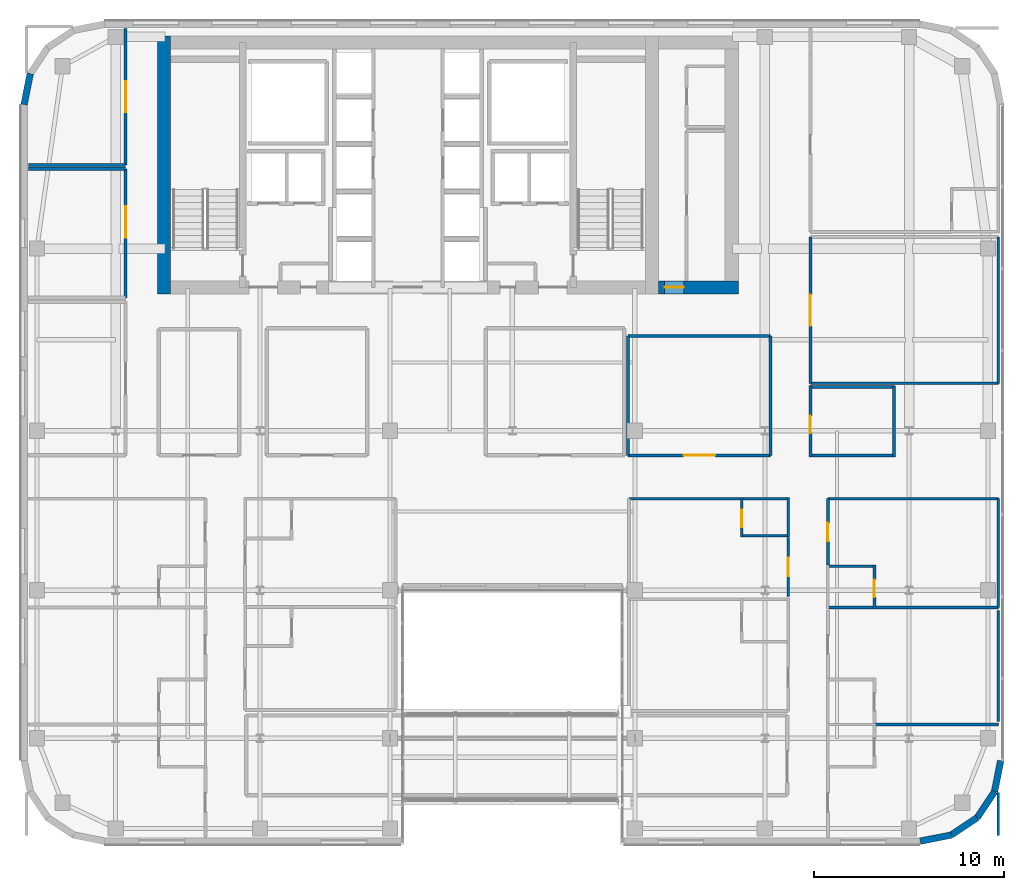
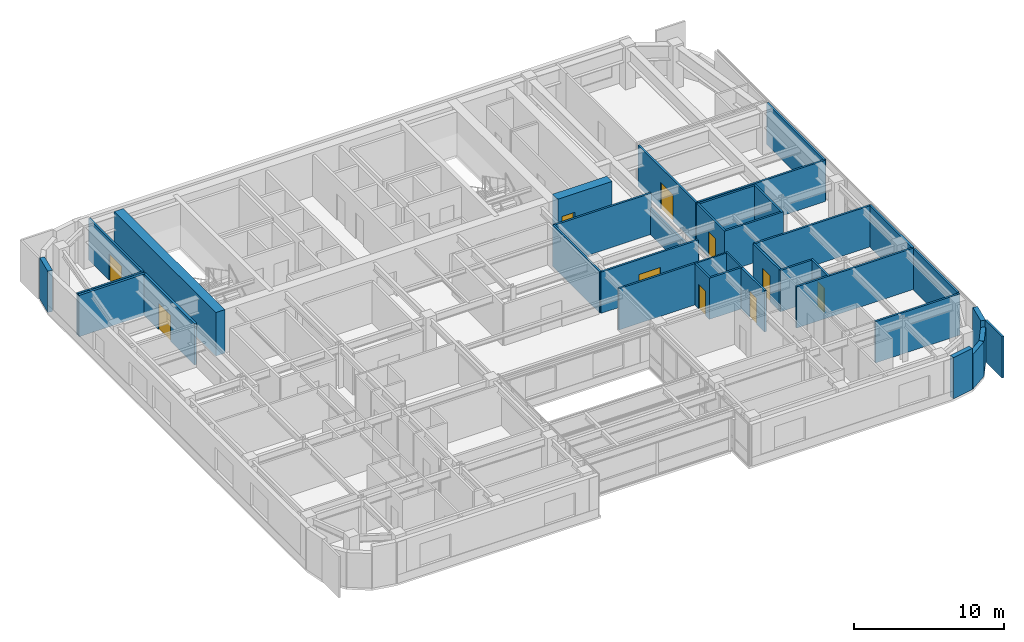
# One storey, part 18 of 26: 37 walls, 10 doors, 10 openings.
"""IFC4 building model written with IfcOpenShell, lengths in metres."""

from ifc_helpers import new_model, si_unit, direction, frame, frame_2d, origin, place, context, subcontext, project, spatial, rectangle, extrude, source, transform, mapped, material, layer, layer_set, type_object, type_shapes, element, fill, save


model = new_model("IFC4")

# Units and contexts
model_context = context("Model", 3, precision=1e-05, world=origin(), true_north=direction((0.0, 1.0)))
body_context = subcontext(model_context, "Body", "Model", "MODEL_VIEW")
ifc_project = project(units=[si_unit("LENGTHUNIT", "METRE"), si_unit("AREAUNIT", "SQUARE_METRE"), si_unit("VOLUMEUNIT", "CUBIC_METRE"), si_unit("PLANEANGLEUNIT", "RADIAN"), si_unit("MASSUNIT", "GRAM", prefix="KILO")], contexts=[model_context])

# Site, building, storey
site_placement = place(None, origin())
site = spatial("IfcSite", under=ifc_project, at=site_placement, CompositionType="ELEMENT")
building_placement = place(site_placement, origin())
building = spatial("IfcBuilding", under=site, at=building_placement, Name="Tolvann Quenvar Hotel", CompositionType="ELEMENT")
storey_placement = place(building_placement, frame((0.0, 0.0, 168.35009765625)))
storey = spatial("IfcBuildingStorey", under=building, at=storey_placement, Name="L44", CompositionType="ELEMENT", Elevation=168.35009765625)

# Wall
ifc_material_1 = material(Name="Concrete S65 (65 MPa)", Category="concrete")
ifc_layer_1 = layer(ifc_material_1, 0.699951171875)
ifc_layer_set_1 = layer_set([ifc_layer_1], Name="Concrete S65 (65 MPa)")
wall_type_1 = type_object("IfcWallType", Name="WALL_CORE_700", PredefinedType="SHEAR", material=ifc_layer_set_1)
wall_1_placement = place(storey_placement, frame((10.14990234375, 31.60009765625, 0.0), z_axis=(0.0, 0.0, 1.0), x_axis=(0.0, 1.0, 0.0)))
element("IfcWall", 1, at=wall_1_placement, inside=storey, type_object=wall_type_1, Name="Rear Core W Shear Wall (L44)", PredefinedType="SHEAR", context=body_context, shape_type="SweptSolid", body=[
    extrude(rectangle(XDim=13.599853515625, YDim=0.699951171875, at=frame_2d((6.7998046875, 0.0))), origin(), (0.0, 0.0, 1.0), 3.5498046875),
])

# Wall, opening, door
wall_2_placement = place(storey_placement, frame((36.199951171875, 31.949951171875, 0.0), z_axis=(0.0, 0.0, 1.0), x_axis=(1.0, 0.0, 0.0)))
wall_2 = element("IfcWall", 2, at=wall_2_placement, inside=storey, type_object=wall_type_1, Name="Core East Annex Shear Wall ANN-S (L44)", PredefinedType="SHEAR", context=body_context, shape_type="SweptSolid", body=[
    extrude(rectangle(XDim=4.199951171875, YDim=0.699951171875, at=frame_2d((2.10009765625, 0.0))), origin(), (0.0, 0.0, 1.0), 3.5498046875),
])
opening_1_placement = place(wall_2_placement, frame((1.340087890625, 0.0, 0.0), z_axis=(0.0, 0.0, 1.0), x_axis=(-1.0, 0.0, 0.0)))
opening_1 = element("IfcOpeningElement", 3, at=opening_1_placement, cuts=wall_2, Name="Opening HD-01", PredefinedType="OPENING", context=body_context, shape_type="SweptSolid", body=[
    extrude(rectangle(XDim=1.02001953125, YDim=2.030029296875, at=frame_2d((0.510009765625, 1.01513671875))), frame((0.0, 0.35986328125, 0.0), z_axis=(0.0, -1.0, 0.0), x_axis=(1.0, 0.0, 0.0)), (0.0, 0.0, 1.0), 0.719970703125),
])
ifc_material_2 = material(Name="Pressed galvanised steel fire-rated door set", Category="steel")
door_type_1 = type_object("IfcDoorType", Name="DOOR_BOH_1020", OperationType="NOTDEFINED", PredefinedType="DOOR", material=ifc_material_2)
shared_shape_1 = source(origin(), body_context, "Body", "SweptSolid", [
    extrude(rectangle(XDim=1.02001953125, YDim=2.030029296875, at=frame_2d((0.510009765625, 1.01513671875))), frame((0.0, 0.02490234375, 0.0), z_axis=(0.0, -1.0, 0.0), x_axis=(1.0, 0.0, 0.0)), (0.0, 0.0, 1.0), 0.050048828125),
])
type_shapes(door_type_1, [shared_shape_1])
door_1_placement = place(opening_1_placement, origin())
door_1 = element("IfcDoor", 4, at=door_1_placement, inside=storey, type_object=door_type_1, Name="Housekeeping Annex Fire Door (L44)", OperationType="SINGLE_SWING_LEFT", OverallHeight=2.030029296875, OverallWidth=1.02001953125, PredefinedType="DOOR", context=body_context, shape_type="MappedRepresentation", body=[
    mapped(shared_shape_1, transform((0.0, 0.0, 0.0), x_axis=(1.0, 0.0, 0.0), y_axis=(0.0, 1.0, 0.0), z_axis=(0.0, 0.0, 1.0), scale=1.0)),
])
fill(opening_1, door_1)

# Walls
ifc_material_3 = material(Name="Kiln-fired red and buff architectural clay brickwork and terracotta masonry", Category="masonry")
ifc_layer_2 = layer(ifc_material_3, 0.35009765625)
ifc_layer_set_2 = layer_set([ifc_layer_2], Name="Kiln-fired red and buff architectural clay brickwork and terracotta masonry")
wall_type_2 = type_object("IfcWallType", Name="WALL_EXT_BRICK_350", PredefinedType="SOLIDWALL", material=ifc_layer_set_2)
wall_3_placement = place(storey_placement, frame((49.98291015625, 2.77490234375, 0.0), z_axis=(0.0, 0.0, 1.0), x_axis=(0.980788844421, 0.195072403631, 0.0)))
element("IfcWall", 5, at=wall_3_placement, inside=storey, type_object=wall_type_2, Name="Exterior Chicago Brick Wall L44-E09", PredefinedType="SOLIDWALL", context=body_context, shape_type="SweptSolid", body=[
    extrude(rectangle(XDim=1.66455078125, YDim=0.35009765625, at=frame_2d((0.832275390625, 0.0))), origin(), (0.0, 0.0, 1.0), 3.369873046875),
])
for number, where, z_axis, x_axis, name in (
    (6, (51.615478515625, 3.099609375, 0.0), (0.0, 0.0, 1.0), (0.831434158098, 0.555623290322, 0.0), "Exterior Chicago Brick Wall L44-E10"),
    (7, (52.985107421875, 4.014892578125, 0.0), (0.0, 0.0, 1.0), (0.555623290322, 0.831434158098, 0.0), "Exterior Chicago Brick Wall L44-E11"),
):
    element("IfcWall", number, at=place(storey_placement, frame(where, z_axis=z_axis, x_axis=x_axis)), inside=storey, type_object=wall_type_2, Name=name, PredefinedType="SOLIDWALL", context=body_context, shape_type="SweptSolid", body=[
        extrude(rectangle(XDim=1.647216796875, YDim=0.35009765625, at=frame_2d((0.82373046875, 0.0))), origin(), (0.0, 0.0, 1.0), 2.831787109375),
    ])
wall_4_placement = place(storey_placement, frame((53.900390625, 5.384521484375, 0.0), z_axis=(0.0, 0.0, 1.0), x_axis=(0.195072403631, 0.980788844421, 0.0)))
element("IfcWall", 8, at=wall_4_placement, inside=storey, type_object=wall_type_2, Name="Exterior Chicago Brick Wall L44-E12", PredefinedType="SOLIDWALL", context=body_context, shape_type="SweptSolid", body=[
    extrude(rectangle(XDim=1.66455078125, YDim=0.35009765625, at=frame_2d((0.832275390625, 0.0))), origin(), (0.0, 0.0, 1.0), 3.369873046875),
])
wall_5_placement = place(storey_placement, frame((3.099609375, 43.215576171875, 0.0), z_axis=(0.0, 0.0, 1.0), x_axis=(-0.195044345786, -0.980794424524, 0.0)))
element("IfcWall", 9, at=wall_5_placement, inside=storey, type_object=wall_type_2, Name="Exterior Chicago Brick Wall L44-E22", PredefinedType="SOLIDWALL", context=body_context, shape_type="SweptSolid", body=[
    extrude(rectangle(XDim=1.664794921875, YDim=0.35009765625, at=frame_2d((0.83251953125, 0.0))), origin(), (0.0, 0.0, 1.0), 3.369873046875),
])
ifc_material_4 = material(Name="Acoustic twin-stud fire-rated gypsum plasterboard partition")
ifc_layer_3 = layer(ifc_material_4, 0.179931640625)
ifc_layer_set_3 = layer_set([ifc_layer_3], Name="Acoustic twin-stud fire-rated gypsum plasterboard partition")
wall_type_3 = type_object("IfcWallType", Name="WALL_PART_ACOUSTIC_180", PredefinedType="PARTITIONING", material=ifc_layer_set_3)
wall_6_placement = place(storey_placement, frame((3.0048828125, 38.199951171875, 0.0), z_axis=(0.0, 0.0, 1.0), x_axis=(1.0, 0.0, 0.0)))
element("IfcWall", 10, at=wall_6_placement, inside=storey, type_object=wall_type_3, Name="Interior Partition PT-SPC-L44-MTG-N", PredefinedType="PARTITIONING", context=body_context, shape_type="SweptSolid", body=[
    extrude(rectangle(XDim=5.115234375, YDim=0.179931640625, at=frame_2d((2.5576171875, 0.0))), origin(), (0.0, 0.0, 1.0), 3.369873046875),
])

# Wall, opening, door
wall_7_placement = place(storey_placement, frame((8.1201171875, 31.39990234375, 0.0), z_axis=(0.0, 0.0, 1.0), x_axis=(0.0, 1.0, 0.0)))
wall_7 = element("IfcWall", 11, at=wall_7_placement, inside=storey, type_object=wall_type_3, Name="Interior Partition PT-SPC-L44-MTG-E", PredefinedType="PARTITIONING", context=body_context, shape_type="SweptSolid", body=[
    extrude(rectangle(XDim=6.800048828125, YDim=0.179931640625, at=frame_2d((3.39990234375, 0.0))), origin(), (0.0, 0.0, 1.0), 3.369873046875),
])
opening_2_placement = place(wall_7_placement, frame((3.175048828125, 0.0, 0.0)))
opening_2 = element("IfcOpeningElement", 12, at=opening_2_placement, cuts=wall_7, Name="Opening AD-01", PredefinedType="OPENING", context=body_context, shape_type="SweptSolid", body=[
    extrude(rectangle(XDim=1.64990234375, YDim=2.14990234375, at=frame_2d((0.824951171875, 1.074951171875))), frame((0.0, 0.10009765625, 0.0), z_axis=(0.0, -1.0, 0.0), x_axis=(1.0, 0.0, 0.0)), (0.0, 0.0, 1.0), 0.199951171875),
])
ifc_material_5 = material(Name="Solid-core American oak acoustic fire door leaf in steel frame", Category="steel")
door_type_2 = type_object("IfcDoorType", Name="DOOR_SALON_1650", OperationType="NOTDEFINED", PredefinedType="DOOR", material=ifc_material_5)
shared_shape_2 = source(origin(), body_context, "Body", "SweptSolid", [
    extrude(rectangle(XDim=1.64990234375, YDim=2.14990234375, at=frame_2d((0.824951171875, 1.074951171875))), frame((0.0, 0.02490234375, 0.0), z_axis=(0.0, -1.0, 0.0), x_axis=(1.0, 0.0, 0.0)), (0.0, 0.0, 1.0), 0.050048828125),
])
type_shapes(door_type_2, [shared_shape_2])
door_2_placement = place(opening_2_placement, origin())
door_2 = element("IfcDoor", 13, at=door_2_placement, inside=storey, type_object=door_type_2, Name="Interior Door DOOR-SPC-L44-MTG", OperationType="DOUBLE_DOOR_SINGLE_SWING", OverallHeight=2.14990234375, OverallWidth=1.64990234375, PredefinedType="DOOR", context=body_context, shape_type="MappedRepresentation", body=[
    mapped(shared_shape_2, transform((0.0, 0.0, 0.0), x_axis=(1.0, 0.0, 0.0), y_axis=(0.0, 1.0, 0.0), z_axis=(0.0, 0.0, 1.0), scale=1.0)),
])
fill(opening_2, door_2)

# Walls
ifc_material_6 = material(Name="Moisture-resistant acoustic plumbing wall assembly")
ifc_layer_4 = layer(ifc_material_6, 0.1201171875)
ifc_layer_set_4 = layer_set([ifc_layer_4], Name="Moisture-resistant acoustic plumbing wall assembly")
wall_type_4 = type_object("IfcWallType", Name="WALL_PART_BATH_120", PredefinedType="PLUMBINGWALL", material=ifc_layer_set_4)
wall_8_placement = place(storey_placement, frame((40.510009765625, 20.820068359375, 0.0), z_axis=(0.0, 0.0, 1.0), x_axis=(1.0, 0.0, 0.0)))
element("IfcWall", 14, at=wall_8_placement, inside=storey, type_object=wall_type_4, Name="Non-Rated Plumbing Partition PT-SPC-L44-ENS-EI02-N", PredefinedType="PLUMBINGWALL", context=body_context, shape_type="SweptSolid", body=[
    extrude(rectangle(XDim=2.590087890625, YDim=0.1201171875, at=frame_2d((1.294921875, 0.0))), origin(), (0.0, 0.0, 1.0), 3.369873046875),
])
wall_9_placement = place(storey_placement, frame((43.030029296875, 18.797119140625, 0.0), z_axis=(0.0, 0.0, 1.0), x_axis=(0.0, 1.0, 0.0)))
element("IfcWall", 15, at=wall_9_placement, inside=storey, type_object=wall_type_4, Name="Non-Rated Plumbing Partition PT-SPC-L44-ENS-EI02-E", PredefinedType="PLUMBINGWALL", context=body_context, shape_type="SweptSolid", body=[
    extrude(rectangle(XDim=2.0927734375, YDim=0.1201171875, at=frame_2d((1.04638671875, 0.0))), origin(), (0.0, 0.0, 1.0), 3.369873046875),
])

# Wall, opening, door
ifc_layer_5 = layer(ifc_material_4, 0.14990234375)
ifc_layer_set_5 = layer_set([ifc_layer_5], Name="Acoustic twin-stud fire-rated gypsum plasterboard partition")
wall_type_5 = type_object("IfcWallType", Name="WALL_PART_SUITE_150", PredefinedType="PARTITIONING", material=ifc_layer_set_5)
wall_10_placement = place(storey_placement, frame((40.580078125, 18.797119140625, 0.0), z_axis=(0.0, 0.0, 1.0), x_axis=(0.0, 1.0, 0.0)))
wall_10 = element("IfcWall", 16, at=wall_10_placement, inside=storey, type_object=wall_type_5, Name="Interior Partition PT-SPC-L44-ENS-EI02-ENT", PredefinedType="PARTITIONING", context=body_context, shape_type="SweptSolid", body=[
    extrude(rectangle(XDim=2.0927734375, YDim=0.14990234375, at=frame_2d((1.04638671875, 0.0))), origin(), (0.0, 0.0, 1.0), 3.369873046875),
])
opening_3_placement = place(wall_10_placement, frame((0.5166015625, 0.0, 0.0)))
opening_3 = element("IfcOpeningElement", 17, at=opening_3_placement, cuts=wall_10, Name="Opening WD-01", PredefinedType="OPENING", context=body_context, shape_type="SweptSolid", body=[
    extrude(rectangle(XDim=0.919921875, YDim=2.010009765625, at=frame_2d((0.4599609375, 1.0048828125))), frame((0.0, 0.0849609375, 0.0), z_axis=(0.0, -1.0, 0.0), x_axis=(1.0, 0.0, 0.0)), (0.0, 0.0, 1.0), 0.169921875),
])
door_type_3 = type_object("IfcDoorType", Name="DOOR_WC_920", OperationType="NOTDEFINED", PredefinedType="DOOR", material=ifc_material_5)
shared_shape_3 = source(origin(), body_context, "Body", "SweptSolid", [
    extrude(rectangle(XDim=0.919921875, YDim=2.010009765625, at=frame_2d((0.4599609375, 1.0048828125))), frame((0.0, 0.02490234375, 0.0), z_axis=(0.0, -1.0, 0.0), x_axis=(1.0, 0.0, 0.0)), (0.0, 0.0, 1.0), 0.050048828125),
])
type_shapes(door_type_3, [shared_shape_3])
door_3_placement = place(opening_3_placement, origin())
door_3 = element("IfcDoor", 18, at=door_3_placement, inside=storey, type_object=door_type_3, Name="Interior Door DOOR-SPC-L44-ENS-EI02", OperationType="SINGLE_SWING_LEFT", OverallHeight=2.010009765625, OverallWidth=0.919921875, PredefinedType="DOOR", context=body_context, shape_type="MappedRepresentation", body=[
    mapped(shared_shape_3, transform((0.0, 0.0, 0.0), x_axis=(1.0, 0.0, 0.0), y_axis=(0.0, 1.0, 0.0), z_axis=(0.0, 0.0, 1.0), scale=1.0)),
])
fill(opening_3, door_3)

# Wall
wall_11_placement = place(storey_placement, frame((40.510009765625, 18.866943359375, 0.0), z_axis=(0.0, 0.0, 1.0), x_axis=(1.0, 0.0, 0.0)))
element("IfcWall", 19, at=wall_11_placement, inside=storey, type_object=wall_type_5, Name="Interior Partition PT-SPC-L44-ENS-EI02-S", PredefinedType="PARTITIONING", context=body_context, shape_type="SweptSolid", body=[
    extrude(rectangle(XDim=2.590087890625, YDim=0.14990234375, at=frame_2d((1.294921875, 0.0))), origin(), (0.0, 0.0, 1.0), 3.369873046875),
])

# Wall, opening, door
wall_12_placement = place(storey_placement, frame((47.570068359375, 15.010009765625, 0.0), z_axis=(0.0, 0.0, 1.0), x_axis=(0.0, 1.0, 0.0)))
wall_12 = element("IfcWall", 20, at=wall_12_placement, inside=storey, type_object=wall_type_5, Name="Interior Partition PT-SPC-L44-ENS-EO03-ENT", PredefinedType="PARTITIONING", context=body_context, shape_type="SweptSolid", body=[
    extrude(rectangle(XDim=2.321044921875, YDim=0.14990234375, at=frame_2d((1.16064453125, 0.0))), origin(), (0.0, 0.0, 1.0), 3.369873046875),
])
opening_4_placement = place(wall_12_placement, frame((0.630615234375, 0.0, 0.0)))
opening_4 = element("IfcOpeningElement", 21, at=opening_4_placement, cuts=wall_12, Name="Opening WD-01", PredefinedType="OPENING", context=body_context, shape_type="SweptSolid", body=[
    extrude(rectangle(XDim=0.919921875, YDim=2.010009765625, at=frame_2d((0.4599609375, 1.0048828125))), frame((0.0, 0.0849609375, 0.0), z_axis=(0.0, -1.0, 0.0), x_axis=(1.0, 0.0, 0.0)), (0.0, 0.0, 1.0), 0.169921875),
])
door_4_placement = place(opening_4_placement, origin())
door_4 = element("IfcDoor", 22, at=door_4_placement, inside=storey, type_object=door_type_3, Name="Interior Door DOOR-SPC-L44-ENS-EO03", OperationType="SINGLE_SWING_RIGHT", OverallHeight=2.010009765625, OverallWidth=0.919921875, PredefinedType="DOOR", context=body_context, shape_type="MappedRepresentation", body=[
    mapped(shared_shape_3, transform((0.0, 0.0, 0.0), x_axis=(1.0, 0.0, 0.0), y_axis=(0.0, 1.0, 0.0), z_axis=(0.0, 0.0, 1.0), scale=1.0)),
])
fill(opening_4, door_4)

# Walls
wall_13_placement = place(storey_placement, frame((45.050048828125, 15.080078125, 0.0), z_axis=(0.0, 0.0, 1.0), x_axis=(1.0, 0.0, 0.0)))
element("IfcWall", 23, at=wall_13_placement, inside=storey, type_object=wall_type_5, Name="Interior Partition PT-SPC-L44-ENS-EO03-S", PredefinedType="PARTITIONING", context=body_context, shape_type="SweptSolid", body=[
    extrude(rectangle(XDim=9.050048828125, YDim=0.14990234375, at=frame_2d((4.52490234375, 0.0))), origin(), (0.0, 0.0, 1.0), 3.369873046875),
])
wall_14_placement = place(storey_placement, frame((45.050048828125, 17.260986328125, 0.0), z_axis=(0.0, 0.0, 1.0), x_axis=(1.0, 0.0, 0.0)))
element("IfcWall", 24, at=wall_14_placement, inside=storey, type_object=wall_type_5, Name="Interior Partition PT-SPC-L44-ENS-EO03-N", PredefinedType="PARTITIONING", context=body_context, shape_type="SweptSolid", body=[
    extrude(rectangle(XDim=2.58984375, YDim=0.14990234375, at=frame_2d((1.294921875, 0.0))), origin(), (0.0, 0.0, 1.0), 3.369873046875),
])

# Wall, opening, door
wall_15_placement = place(storey_placement, frame((43.030029296875, 15.679931640625, 0.0), z_axis=(0.0, 0.0, 1.0), x_axis=(0.0, 1.0, 0.0)))
wall_15 = element("IfcWall", 25, at=wall_15_placement, inside=storey, type_object=wall_type_5, Name="Interior Partition PT-SPC-L44-RM-EI02-ENT", PredefinedType="PARTITIONING", context=body_context, shape_type="SweptSolid", body=[
    extrude(rectangle(XDim=3.107177734375, YDim=0.14990234375, at=frame_2d((1.5537109375, 0.0))), origin(), (0.0, 0.0, 1.0), 3.369873046875),
])
opening_5_placement = place(wall_15_placement, frame((1.04345703125, 0.0, 0.0)))
opening_5 = element("IfcOpeningElement", 26, at=opening_5_placement, cuts=wall_15, Name="Opening SD-01", PredefinedType="OPENING", context=body_context, shape_type="SweptSolid", body=[
    extrude(rectangle(XDim=0.97998046875, YDim=2.1201171875, at=frame_2d((0.489990234375, 1.06005859375))), frame((0.0, 0.0849609375, 0.0), z_axis=(0.0, -1.0, 0.0), x_axis=(1.0, 0.0, 0.0)), (0.0, 0.0, 1.0), 0.169921875),
])
door_type_4 = type_object("IfcDoorType", Name="DOOR_SUITE_980", OperationType="NOTDEFINED", PredefinedType="DOOR", material=ifc_material_5)
shared_shape_4 = source(origin(), body_context, "Body", "SweptSolid", [
    extrude(rectangle(XDim=0.97998046875, YDim=2.1201171875, at=frame_2d((0.489990234375, 1.06005859375))), frame((0.0, 0.02490234375, 0.0), z_axis=(0.0, -1.0, 0.0), x_axis=(1.0, 0.0, 0.0)), (0.0, 0.0, 1.0), 0.050048828125),
])
type_shapes(door_type_4, [shared_shape_4])
door_5_placement = place(opening_5_placement, origin())
door_5 = element("IfcDoor", 27, at=door_5_placement, inside=storey, type_object=door_type_4, Name="Interior Door DOOR-SPC-L44-RM-EI02", OperationType="SINGLE_SWING_RIGHT", OverallHeight=2.1201171875, OverallWidth=0.97998046875, PredefinedType="DOOR", context=body_context, shape_type="MappedRepresentation", body=[
    mapped(shared_shape_4, transform((0.0, 0.0, 0.0), x_axis=(1.0, 0.0, 0.0), y_axis=(0.0, 1.0, 0.0), z_axis=(0.0, 0.0, 1.0), scale=1.0)),
])
fill(opening_5, door_5)

# Walls
wall_16_placement = place(storey_placement, frame((34.64990234375, 20.820068359375, 0.0), z_axis=(0.0, 0.0, 1.0), x_axis=(1.0, 0.0, 0.0)))
element("IfcWall", 28, at=wall_16_placement, inside=storey, type_object=wall_type_5, Name="Interior Partition PT-SPC-L44-RM-EI02-E5", PredefinedType="PARTITIONING", context=body_context, shape_type="SweptSolid", body=[
    extrude(rectangle(XDim=5.91015625, YDim=0.14990234375, at=frame_2d((2.955078125, 0.0))), origin(), (0.0, 0.0, 1.0), 3.369873046875),
])
wall_17_placement = place(storey_placement, frame((54.10009765625, 3.080078125, 0.0), z_axis=(0.0, 0.0, 1.0), x_axis=(0.0, 1.0, 0.0)))
element("IfcWall", 29, at=wall_17_placement, inside=storey, type_object=wall_type_5, Name="Interior Partition PT-SPC-L44-RM-EO01-E2", PredefinedType="PARTITIONING", context=body_context, shape_type="SweptSolid", body=[
    extrude(rectangle(XDim=2.264892578125, YDim=0.14990234375, at=frame_2d((1.13232421875, 0.0))), origin(), (0.0, 0.0, 1.0), 3.369873046875),
])
wall_18_placement = place(storey_placement, frame((47.590087890625, 8.919921875, 0.0), z_axis=(0.0, 0.0, 1.0), x_axis=(1.0, 0.0, 0.0)))
element("IfcWall", 30, at=wall_18_placement, inside=storey, type_object=wall_type_5, Name="Interior Partition PT-SPC-L44-RM-EO01-E3", PredefinedType="PARTITIONING", context=body_context, shape_type="SweptSolid", body=[
    extrude(rectangle(XDim=6.510009765625, YDim=0.14990234375, at=frame_2d((3.2548828125, 0.0))), origin(), (0.0, 0.0, 1.0), 3.369873046875),
])
wall_19_placement = place(storey_placement, frame((54.10009765625, 9.080078125, 0.0), z_axis=(0.0, 0.0, 1.0), x_axis=(0.0, 1.0, 0.0)))
element("IfcWall", 31, at=wall_19_placement, inside=storey, type_object=wall_type_5, Name="Interior Partition PT-SPC-L44-RM-EO02-E4", PredefinedType="PARTITIONING", context=body_context, shape_type="SweptSolid", body=[
    extrude(rectangle(XDim=5.83984375, YDim=0.14990234375, at=frame_2d((2.919921875, 0.0))), origin(), (0.0, 0.0, 1.0), 3.369873046875),
])

# Wall, opening, door
wall_20_placement = place(storey_placement, frame((45.1201171875, 17.341064453125, 0.0), z_axis=(0.0, 0.0, 1.0), x_axis=(0.0, 1.0, 0.0)))
wall_20 = element("IfcWall", 32, at=wall_20_placement, inside=storey, type_object=wall_type_5, Name="Interior Partition PT-SPC-L44-RM-EO03-ENT", PredefinedType="PARTITIONING", context=body_context, shape_type="SweptSolid", body=[
    extrude(rectangle(XDim=3.47900390625, YDim=0.14990234375, at=frame_2d((1.739501953125, 0.0))), origin(), (0.0, 0.0, 1.0), 3.369873046875),
])
opening_6_placement = place(wall_20_placement, frame((1.2294921875, 0.0, 0.0)))
opening_6 = element("IfcOpeningElement", 33, at=opening_6_placement, cuts=wall_20, Name="Opening SD-01", PredefinedType="OPENING", context=body_context, shape_type="SweptSolid", body=[
    extrude(rectangle(XDim=0.97998046875, YDim=2.1201171875, at=frame_2d((0.489990234375, 1.06005859375))), frame((0.0, 0.0849609375, 0.0), z_axis=(0.0, -1.0, 0.0), x_axis=(1.0, 0.0, 0.0)), (0.0, 0.0, 1.0), 0.169921875),
])
door_6_placement = place(opening_6_placement, origin())
door_6 = element("IfcDoor", 34, at=door_6_placement, inside=storey, type_object=door_type_4, Name="Interior Door DOOR-SPC-L44-RM-EO03", OperationType="SINGLE_SWING_LEFT", OverallHeight=2.1201171875, OverallWidth=0.97998046875, PredefinedType="DOOR", context=body_context, shape_type="MappedRepresentation", body=[
    mapped(shared_shape_4, transform((0.0, 0.0, 0.0), x_axis=(1.0, 0.0, 0.0), y_axis=(0.0, 1.0, 0.0), z_axis=(0.0, 0.0, 1.0), scale=1.0)),
])
fill(opening_6, door_6)

# Walls
wall_21_placement = place(storey_placement, frame((54.10009765625, 15.080078125, 0.0), z_axis=(0.0, 0.0, 1.0), x_axis=(0.0, 1.0, 0.0)))
element("IfcWall", 35, at=wall_21_placement, inside=storey, type_object=wall_type_5, Name="Interior Partition PT-SPC-L44-RM-EO03-E4", PredefinedType="PARTITIONING", context=body_context, shape_type="SweptSolid", body=[
    extrude(rectangle(XDim=5.739990234375, YDim=0.14990234375, at=frame_2d((2.8701171875, 0.0))), origin(), (0.0, 0.0, 1.0), 3.369873046875),
])
wall_22_placement = place(storey_placement, frame((45.1201171875, 20.820068359375, 0.0), z_axis=(0.0, 0.0, 1.0), x_axis=(1.0, 0.0, 0.0)))
element("IfcWall", 36, at=wall_22_placement, inside=storey, type_object=wall_type_5, Name="Interior Partition PT-SPC-L44-RM-EO03-E5", PredefinedType="PARTITIONING", context=body_context, shape_type="SweptSolid", body=[
    extrude(rectangle(XDim=8.97998046875, YDim=0.14990234375, at=frame_2d((4.489990234375, 0.0))), origin(), (0.0, 0.0, 1.0), 3.369873046875),
])
wall_23_placement = place(storey_placement, frame((3.0048828125, 38.39990234375, 0.0), z_axis=(0.0, 0.0, 1.0), x_axis=(1.0, 0.0, 0.0)))
element("IfcWall", 37, at=wall_23_placement, inside=storey, type_object=wall_type_5, Name="Interior Partition PT-SPC-L44-TEA-S", PredefinedType="PARTITIONING", context=body_context, shape_type="SweptSolid", body=[
    extrude(rectangle(XDim=5.115234375, YDim=0.14990234375, at=frame_2d((2.5576171875, 0.0))), origin(), (0.0, 0.0, 1.0), 3.369873046875),
])

# Wall, opening, door
wall_24_placement = place(storey_placement, frame((8.1201171875, 38.39990234375, 0.0), z_axis=(0.0, 0.0, 1.0), x_axis=(0.0, 1.0, 0.0)))
wall_24 = element("IfcWall", 38, at=wall_24_placement, inside=storey, type_object=wall_type_5, Name="Interior Partition PT-SPC-L44-TEA-E", PredefinedType="PARTITIONING", context=body_context, shape_type="SweptSolid", body=[
    extrude(rectangle(XDim=7.195068359375, YDim=0.14990234375, at=frame_2d((3.59765625, 0.0))), origin(), (0.0, 0.0, 1.0), 3.369873046875),
])
opening_7_placement = place(wall_24_placement, frame((2.7724609375, 0.0, 0.0)))
opening_7 = element("IfcOpeningElement", 39, at=opening_7_placement, cuts=wall_24, Name="Opening AD-01", PredefinedType="OPENING", context=body_context, shape_type="SweptSolid", body=[
    extrude(rectangle(XDim=1.64990234375, YDim=2.14990234375, at=frame_2d((0.824951171875, 1.074951171875))), frame((0.0, 0.0849609375, 0.0), z_axis=(0.0, -1.0, 0.0), x_axis=(1.0, 0.0, 0.0)), (0.0, 0.0, 1.0), 0.169921875),
])
door_7_placement = place(opening_7_placement, origin())
door_7 = element("IfcDoor", 40, at=door_7_placement, inside=storey, type_object=door_type_2, Name="Interior Door DOOR-SPC-L44-TEA", OperationType="DOUBLE_DOOR_SINGLE_SWING", OverallHeight=2.14990234375, OverallWidth=1.64990234375, PredefinedType="DOOR", context=body_context, shape_type="MappedRepresentation", body=[
    mapped(shared_shape_2, transform((0.0, 0.0, 0.0), x_axis=(1.0, 0.0, 0.0), y_axis=(0.0, 1.0, 0.0), z_axis=(0.0, 0.0, 1.0), scale=1.0)),
])
fill(opening_7, door_7)

wall_25_placement = place(storey_placement, frame((44.199951171875, 23.030029296875, 0.0), z_axis=(0.0, 0.0, 1.0), x_axis=(0.0, 1.0, 0.0)))
wall_25 = element("IfcWall", 41, at=wall_25_placement, inside=storey, type_object=wall_type_5, Name="Interior Partition PT-SPC-L44-WCA-ENT", PredefinedType="PARTITIONING", context=body_context, shape_type="SweptSolid", body=[
    extrude(rectangle(XDim=3.739990234375, YDim=0.14990234375, at=frame_2d((1.8701171875, 0.0))), origin(), (0.0, 0.0, 1.0), 3.369873046875),
])
opening_8_placement = place(wall_25_placement, frame((1.239990234375, 0.0, 0.0)))
opening_8 = element("IfcOpeningElement", 42, at=opening_8_placement, cuts=wall_25, Name="Opening WD-01", PredefinedType="OPENING", context=body_context, shape_type="SweptSolid", body=[
    extrude(rectangle(XDim=0.919921875, YDim=2.010009765625, at=frame_2d((0.4599609375, 1.0048828125))), frame((0.0, 0.0849609375, 0.0), z_axis=(0.0, -1.0, 0.0), x_axis=(1.0, 0.0, 0.0)), (0.0, 0.0, 1.0), 0.169921875),
])
door_8_placement = place(opening_8_placement, origin())
door_8 = element("IfcDoor", 43, at=door_8_placement, inside=storey, type_object=door_type_3, Name="Interior Door DOOR-SPC-L44-WCA", OperationType="SINGLE_SWING_RIGHT", OverallHeight=2.010009765625, OverallWidth=0.919921875, PredefinedType="DOOR", context=body_context, shape_type="MappedRepresentation", body=[
    mapped(shared_shape_3, transform((0.0, 0.0, 0.0), x_axis=(1.0, 0.0, 0.0), y_axis=(0.0, 1.0, 0.0), z_axis=(0.0, 0.0, 1.0), scale=1.0)),
])
fill(opening_8, door_8)

# Walls
for number, where, z_axis, x_axis, name in (
    (44, (44.1298828125, 23.10009765625, 0.0), (0.0, 0.0, 1.0), (1.0, 0.0, 0.0), "Interior Partition PT-SPC-L44-WCA-S"),
    (45, (44.1298828125, 26.699951171875, 0.0), (0.0, 0.0, 1.0), (1.0, 0.0, 0.0), "Interior Partition PT-SPC-L44-WCA-N"),
):
    element("IfcWall", number, at=place(storey_placement, frame(where, z_axis=z_axis, x_axis=x_axis)), inside=storey, type_object=wall_type_5, Name=name, PredefinedType="PARTITIONING", context=body_context, shape_type="SweptSolid", body=[
        extrude(rectangle(XDim=4.5400390625, YDim=0.14990234375, at=frame_2d((2.27001953125, 0.0))), origin(), (0.0, 0.0, 1.0), 3.369873046875),
    ])
wall_26_placement = place(storey_placement, frame((48.60009765625, 23.030029296875, 0.0), z_axis=(0.0, 0.0, 1.0), x_axis=(0.0, 1.0, 0.0)))
element("IfcWall", 46, at=wall_26_placement, inside=storey, type_object=wall_type_5, Name="Interior Partition PT-SPC-L44-WCA-E", PredefinedType="PARTITIONING", context=body_context, shape_type="SweptSolid", body=[
    extrude(rectangle(XDim=3.739990234375, YDim=0.14990234375, at=frame_2d((1.8701171875, 0.0))), origin(), (0.0, 0.0, 1.0), 3.369873046875),
])
wall_27_placement = place(storey_placement, frame((44.199951171875, 26.89990234375, 0.0), z_axis=(0.0, 0.0, 1.0), x_axis=(1.0, 0.0, 0.0)))
element("IfcWall", 47, at=wall_27_placement, inside=storey, type_object=wall_type_5, Name="Interior Partition PT-SPC-L44-SPA-S", PredefinedType="PARTITIONING", context=body_context, shape_type="SweptSolid", body=[
    extrude(rectangle(XDim=9.900146484375, YDim=0.14990234375, at=frame_2d((4.9501953125, 0.0))), origin(), (0.0, 0.0, 1.0), 3.369873046875),
])

# Wall, opening, door
wall_28_placement = place(storey_placement, frame((44.199951171875, 26.89990234375, 0.0), z_axis=(0.0, 0.0, 1.0), x_axis=(0.0, 1.0, 0.0)))
wall_28 = element("IfcWall", 48, at=wall_28_placement, inside=storey, type_object=wall_type_5, Name="Interior Partition PT-SPC-L44-SPA-W", PredefinedType="PARTITIONING", context=body_context, shape_type="SweptSolid", body=[
    extrude(rectangle(XDim=7.7001953125, YDim=0.14990234375, at=frame_2d((3.85009765625, 0.0))), origin(), (0.0, 0.0, 1.0), 3.369873046875),
])
opening_9_placement = place(wall_28_placement, frame((3.02490234375, 0.0, 0.0)))
opening_9 = element("IfcOpeningElement", 49, at=opening_9_placement, cuts=wall_28, Name="Opening AD-01", PredefinedType="OPENING", context=body_context, shape_type="SweptSolid", body=[
    extrude(rectangle(XDim=1.64990234375, YDim=2.14990234375, at=frame_2d((0.824951171875, 1.074951171875))), frame((0.0, 0.0849609375, 0.0), z_axis=(0.0, -1.0, 0.0), x_axis=(1.0, 0.0, 0.0)), (0.0, 0.0, 1.0), 0.169921875),
])
door_9_placement = place(opening_9_placement, origin())
door_9 = element("IfcDoor", 50, at=door_9_placement, inside=storey, type_object=door_type_2, Name="Interior Door DOOR-SPC-L44-SPA", OperationType="DOUBLE_DOOR_SINGLE_SWING", OverallHeight=2.14990234375, OverallWidth=1.64990234375, PredefinedType="DOOR", context=body_context, shape_type="MappedRepresentation", body=[
    mapped(shared_shape_2, transform((0.0, 0.0, 0.0), x_axis=(1.0, 0.0, 0.0), y_axis=(0.0, 1.0, 0.0), z_axis=(0.0, 0.0, 1.0), scale=1.0)),
])
fill(opening_9, door_9)

# Wall
wall_29_placement = place(storey_placement, frame((54.10009765625, 26.89990234375, 0.0), z_axis=(0.0, 0.0, 1.0), x_axis=(0.0, 1.0, 0.0)))
element("IfcWall", 51, at=wall_29_placement, inside=storey, type_object=wall_type_5, Name="Interior Partition PT-SPC-L44-SPA-E", PredefinedType="PARTITIONING", context=body_context, shape_type="SweptSolid", body=[
    extrude(rectangle(XDim=7.7001953125, YDim=0.14990234375, at=frame_2d((3.85009765625, 0.0))), origin(), (0.0, 0.0, 1.0), 3.369873046875),
])

# Wall, opening, door
wall_30_placement = place(storey_placement, frame((34.60009765625, 23.10009765625, 0.0), z_axis=(0.0, 0.0, 1.0), x_axis=(1.0, 0.0, 0.0)))
wall_30 = element("IfcWall", 52, at=wall_30_placement, inside=storey, type_object=wall_type_5, Name="Interior Partition PT-SPC-L44-MSP-E-S", PredefinedType="PARTITIONING", context=body_context, shape_type="SweptSolid", body=[
    extrude(rectangle(XDim=7.5, YDim=0.14990234375, at=frame_2d((3.75, 0.0))), origin(), (0.0, 0.0, 1.0), 3.369873046875),
])
opening_10_placement = place(wall_30_placement, frame((2.925048828125, 0.0, 0.0)))
opening_10 = element("IfcOpeningElement", 53, at=opening_10_placement, cuts=wall_30, Name="Opening AD-01", PredefinedType="OPENING", context=body_context, shape_type="SweptSolid", body=[
    extrude(rectangle(XDim=1.64990234375, YDim=2.14990234375, at=frame_2d((0.824951171875, 1.074951171875))), frame((0.0, 0.0849609375, 0.0), z_axis=(0.0, -1.0, 0.0), x_axis=(1.0, 0.0, 0.0)), (0.0, 0.0, 1.0), 0.169921875),
])
door_10_placement = place(opening_10_placement, origin())
door_10 = element("IfcDoor", 54, at=door_10_placement, inside=storey, type_object=door_type_2, Name="Interior Door DOOR-SPC-L44-MSP-E", OperationType="DOUBLE_DOOR_SINGLE_SWING", OverallHeight=2.14990234375, OverallWidth=1.64990234375, PredefinedType="DOOR", context=body_context, shape_type="MappedRepresentation", body=[
    mapped(shared_shape_2, transform((0.0, 0.0, 0.0), x_axis=(1.0, 0.0, 0.0), y_axis=(0.0, 1.0, 0.0), z_axis=(0.0, 0.0, 1.0), scale=1.0)),
])
fill(opening_10, door_10)

# Walls
wall_31_placement = place(storey_placement, frame((34.60009765625, 29.39990234375, 0.0), z_axis=(0.0, 0.0, 1.0), x_axis=(1.0, 0.0, 0.0)))
element("IfcWall", 55, at=wall_31_placement, inside=storey, type_object=wall_type_5, Name="Interior Partition PT-SPC-L44-MSP-E-N", PredefinedType="PARTITIONING", context=body_context, shape_type="SweptSolid", body=[
    extrude(rectangle(XDim=7.5, YDim=0.14990234375, at=frame_2d((3.75, 0.0))), origin(), (0.0, 0.0, 1.0), 3.369873046875),
])
wall_32_placement = place(storey_placement, frame((34.60009765625, 23.10009765625, 0.0), z_axis=(0.0, 0.0, 1.0), x_axis=(0.0, 1.0, 0.0)))
element("IfcWall", 56, at=wall_32_placement, inside=storey, type_object=wall_type_5, Name="Interior Partition PT-SPC-L44-MSP-E-W", PredefinedType="PARTITIONING", context=body_context, shape_type="SweptSolid", body=[
    extrude(rectangle(XDim=6.2998046875, YDim=0.14990234375, at=frame_2d((3.14990234375, 0.0))), origin(), (0.0, 0.0, 1.0), 3.369873046875),
])
wall_33_placement = place(storey_placement, frame((42.10009765625, 23.10009765625, 0.0), z_axis=(0.0, 0.0, 1.0), x_axis=(0.0, 1.0, 0.0)))
element("IfcWall", 57, at=wall_33_placement, inside=storey, type_object=wall_type_5, Name="Interior Partition PT-SPC-L44-MSP-E-E", PredefinedType="PARTITIONING", context=body_context, shape_type="SweptSolid", body=[
    extrude(rectangle(XDim=6.2998046875, YDim=0.14990234375, at=frame_2d((3.14990234375, 0.0))), origin(), (0.0, 0.0, 1.0), 2.159912109375),
])

save(model, "model.ifc")
